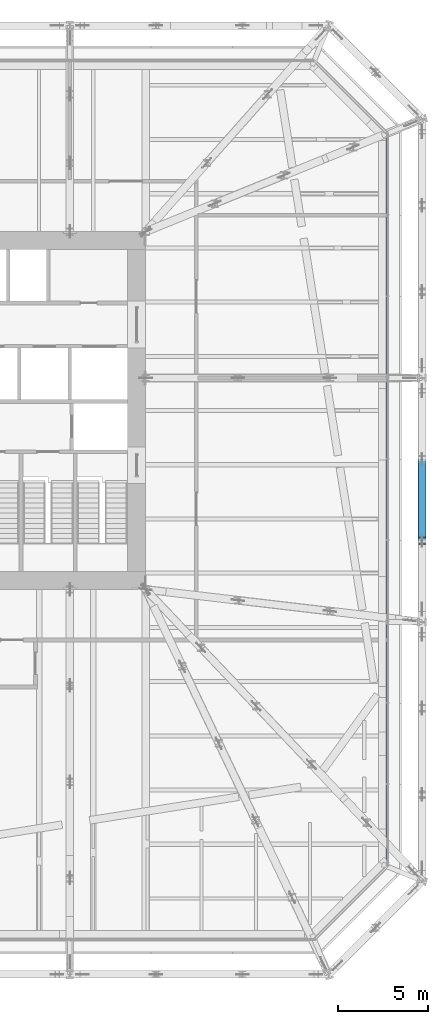
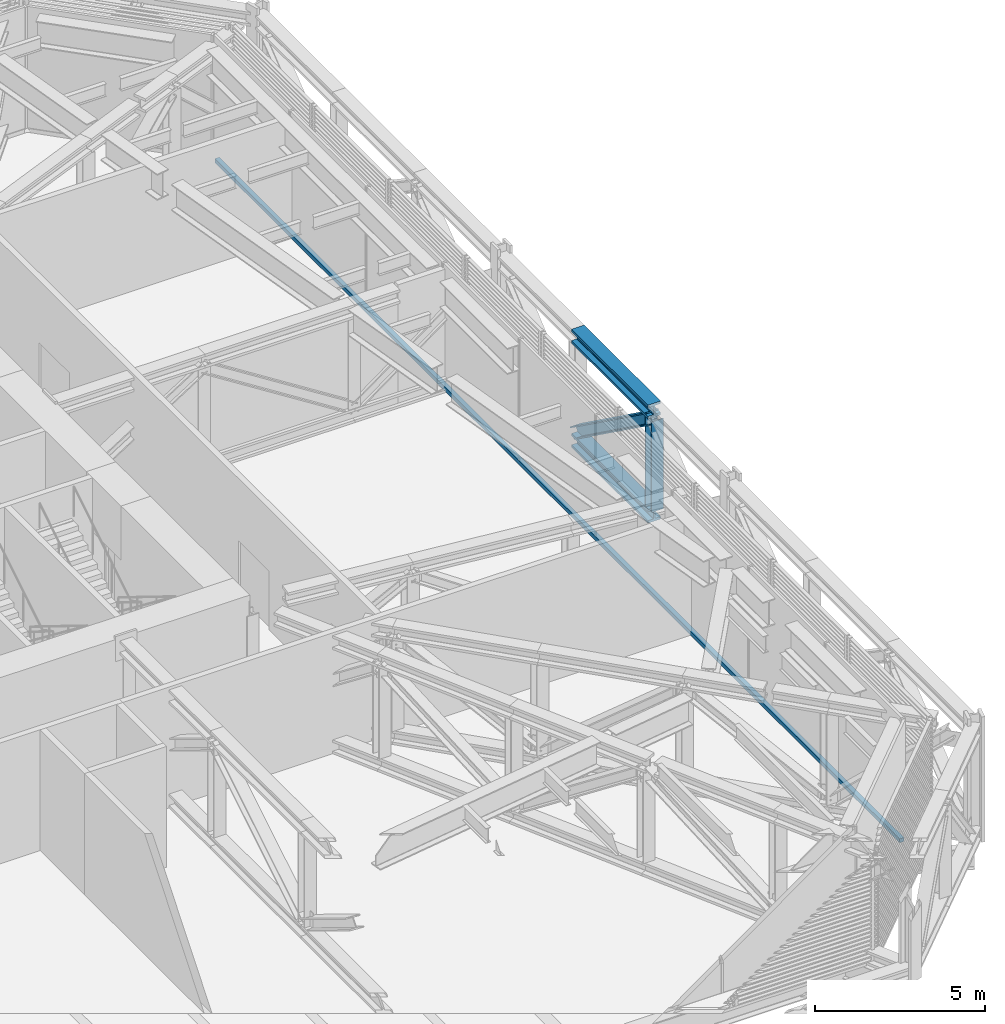
# One storey, part 12 of 31: 3 members, 2 beams, 1 element without a shape of its own.
"""IFC4 building model written with IfcOpenShell, lengths in metres."""

from ifc_helpers import new_model, si_unit, direction, frame, origin, origin_2d, place, context, subcontext, project, spatial, rectangle, i_section, extrude, material, layer, layer_set, material_profile, profile_set, type_object, element, aggregate, save


model = new_model("IFC4")

# Units and contexts
model_context = context("Model", 3, precision=1e-05, world=origin(), true_north=direction((0.0, 1.0)))
body_context = subcontext(model_context, "Body", "Model", "MODEL_VIEW")
ifc_project = project(units=[si_unit("LENGTHUNIT", "METRE"), si_unit("AREAUNIT", "SQUARE_METRE"), si_unit("VOLUMEUNIT", "CUBIC_METRE"), si_unit("PLANEANGLEUNIT", "RADIAN"), si_unit("MASSUNIT", "GRAM", prefix="KILO")], contexts=[model_context])

# Site, building, storey
site_placement = place(None, origin())
site = spatial("IfcSite", under=ifc_project, at=site_placement, CompositionType="ELEMENT")
building_placement = place(site_placement, origin())
building = spatial("IfcBuilding", under=site, at=building_placement, Name="Millrace Tower", CompositionType="ELEMENT")
storey_placement = place(building_placement, frame((0.0, 0.0, 120.39990234375)))
storey = spatial("IfcBuildingStorey", under=building, at=storey_placement, Name="L26", CompositionType="ELEMENT", Elevation=120.39990234375)

# Beams
ifc_material_1 = material(Name="Steel ASTM A992 Grade 50", Category="steel")
ifc_material_profile_1 = material_profile(ifc_material_1, i_section(OverallWidth=0.431884765625, OverallDepth=0.497802734375, WebThickness=0.0556640625, FlangeThickness=0.0888671875, FilletRadius=0.01513671875, at=origin_2d()))
ifc_profile_set_1 = profile_set([ifc_material_profile_1], Name="Steel ASTM A992 Grade 50")
beam_type = type_object("IfcBeamType", Name="Belt truss chord W14x500", PredefinedType="BEAM", material=ifc_profile_set_1)
for number, where, z_axis, x_axis, name in (
    (1, (30.199951171875, -7.199951171875, 0.2490234375), (0.0, 1.0, 0.0), (-1.0, 0.0, 0.0), "BLT-L26-R07-B02"),
    (2, (30.199951171875, -7.199951171875, 3.9912109375), (0.0, 1.0, 0.0), (-1.0, 0.0, 0.0), "BLT-L26-R07-T02"),
):
    element("IfcBeam", number, at=place(storey_placement, frame(where, z_axis=z_axis, x_axis=x_axis)), inside=storey, type_object=beam_type, Name=name, PredefinedType="BEAM", context=body_context, shape_type="SweptSolid", body=[
        extrude(i_section(OverallWidth=0.431884765625, OverallDepth=0.497802734375, WebThickness=0.0556640625, FlangeThickness=0.0888671875, FilletRadius=0.01513671875, at=origin_2d()), origin(), (0.0, 0.0, 1.0), 4.5),
    ])

# Members
ifc_material_2 = material(Name="Steel ASTM A992 Grade 50", Category="steel")
ifc_material_profile_2 = material_profile(ifc_material_2, i_section(OverallWidth=0.4013671875, OverallDepth=0.398681640625, WebThickness=0.02490234375, FlangeThickness=0.03955078125, FilletRadius=0.01513671875, at=origin_2d()))
ifc_profile_set_2 = profile_set([ifc_material_profile_2], Name="Steel ASTM A992 Grade 50")
member_type_1 = type_object("IfcMemberType", Name="Belt truss diagonal W14x211", PredefinedType="BRACE", material=ifc_profile_set_2)
member_1_placement = place(storey_placement, frame((30.199951171875, -2.699951171875, 0.498046875), z_axis=(0.0, -0.811180262828, 0.584796187742), x_axis=(1.0, 0.0, 0.0)))
element("IfcMember", 3, at=member_1_placement, inside=storey, type_object=member_type_1, Name="BLT-L26-R07-D02", PredefinedType="BRACE", context=body_context, shape_type="SweptSolid", body=[
    extrude(i_section(OverallWidth=0.4013671875, OverallDepth=0.398681640625, WebThickness=0.02490234375, FlangeThickness=0.03955078125, FilletRadius=0.01513671875, at=origin_2d()), origin(), (0.0, 0.0, 1.0), 5.54736328125),
])
ifc_material_3 = material(Name="Steel ASTM A992 Grade 50", Category="steel")
ifc_material_profile_3 = material_profile(ifc_material_3, i_section(OverallWidth=0.398681640625, OverallDepth=0.385986328125, WebThickness=0.02099609375, FlangeThickness=0.033203125, FilletRadius=0.01513671875, at=origin_2d()))
ifc_profile_set_3 = profile_set([ifc_material_profile_3], Name="Steel ASTM A992 Grade 50")
member_type_2 = type_object("IfcMemberType", Name="Belt truss post W14x176", PredefinedType="POST", material=ifc_profile_set_3)
member_2_placement = place(storey_placement, frame((30.199951171875, -7.199951171875, 0.498046875), z_axis=(0.0, 0.0, 1.0), x_axis=(1.0, 0.0, 0.0)))
element("IfcMember", 4, at=member_2_placement, inside=storey, type_object=member_type_2, Name="BLT-L26-R07-V01", PredefinedType="POST", context=body_context, shape_type="SweptSolid", body=[
    extrude(i_section(OverallWidth=0.398681640625, OverallDepth=0.385986328125, WebThickness=0.02099609375, FlangeThickness=0.033203125, FilletRadius=0.01513671875, at=origin_2d()), origin(), (0.0, 0.0, 1.0), 3.244140625),
])

# Curtain wall, member
ifc_material_4 = material(Name="Aluminium and glass", Category="aluminium")
ifc_layer = layer(ifc_material_4, 0.14990234375)
ifc_layer_set = layer_set([ifc_layer], Name="Aluminium and glass")
curtain_wall_type = type_object("IfcCurtainWallType", Name="CW-5 truss and plant storey louvred infill", PredefinedType="NOTDEFINED", material=ifc_layer_set)
curtain_wall_placement = place(storey_placement, origin())
curtain_wall = element("IfcCurtainWall", 5, at=curtain_wall_placement, inside=storey, type_object=curtain_wall_type, Name="Curtain wall B-F04 L26", PredefinedType="NOTDEFINED")
ifc_material_5 = material(Name="Aluminium", Category="aluminium")
ifc_material_profile_4 = material_profile(ifc_material_5, rectangle(XDim=0.14990234375, YDim=0.139892578125, at=origin_2d()))
ifc_profile_set_4 = profile_set([ifc_material_profile_4], Name="Aluminium")
member_type_3 = type_object("IfcMemberType", Name="CW-5 truss and plant storey louvred infill transom", PredefinedType="USERDEFINED", material=ifc_profile_set_4)
member_3_placement = place(storey_placement, frame((28.27490234375, -25.10009765625, 0.070068359375), z_axis=(0.0, 1.0, 0.0), x_axis=(-1.0, 0.0, 0.0)))
member_3 = element("IfcMember", 6, at=member_3_placement, type_object=member_type_3, Name="CW5 transom B-F04.1", ObjectType="TRANSOM", PredefinedType="USERDEFINED", context=body_context, shape_type="SweptSolid", body=[
    extrude(rectangle(XDim=0.14990234375, YDim=0.139892578125, at=origin_2d()), origin(), (0.0, 0.0, 1.0), 40.300048828125),
])
aggregate(curtain_wall, [member_3])

save(model, "model.ifc")
